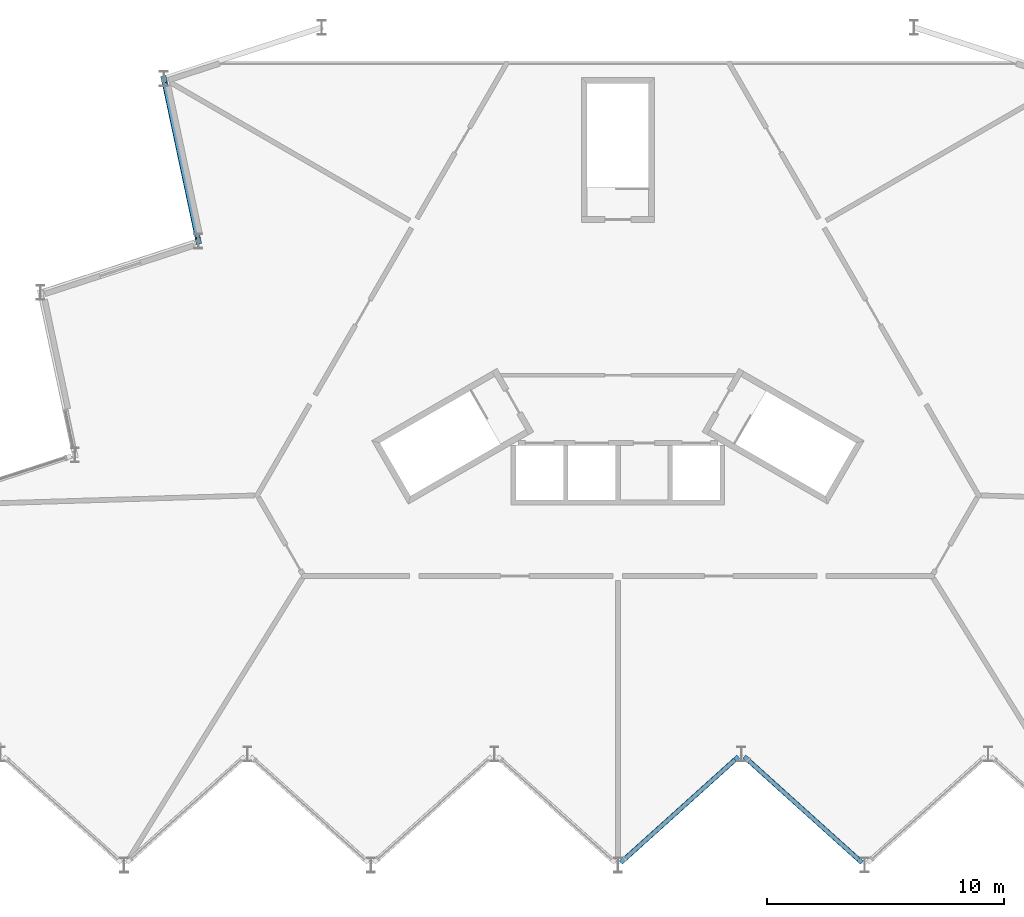
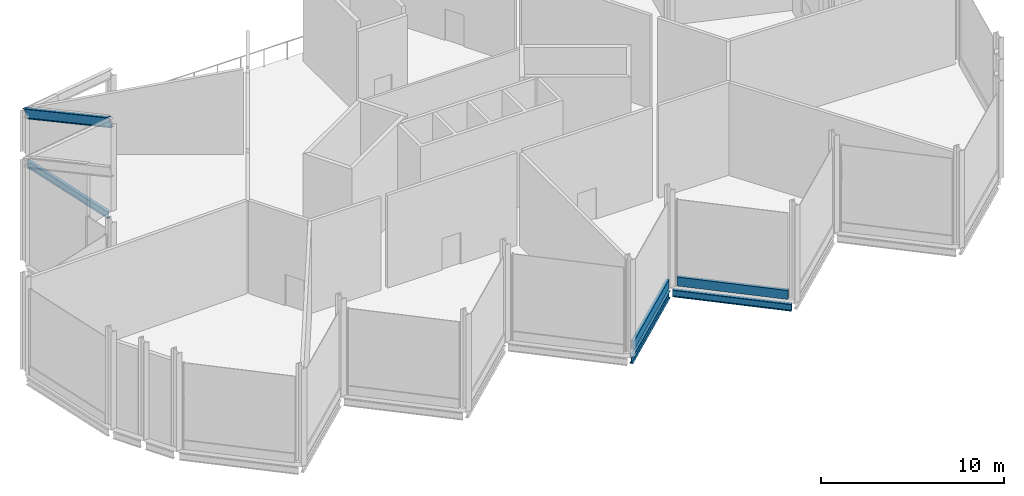
# One storey, part 5 of 10: 3 beams, 3 members, 2 elements without a shape of their own.
"""IFC4 building model written with IfcOpenShell, lengths in metres."""

from ifc_helpers import new_model, si_unit, direction, frame, origin, origin_2d, place, context, subcontext, project, spatial, rectangle, i_section, extrude, material, layer, layer_set, material_profile, profile_set, type_object, element, aggregate, save


model = new_model("IFC4")

# Units and contexts
model_context = context("Model", 3, precision=1e-05, world=origin(), true_north=direction((0.0, 1.0)))
body_context = subcontext(model_context, "Body", "Model", "MODEL_VIEW")
ifc_project = project(units=[si_unit("LENGTHUNIT", "METRE"), si_unit("AREAUNIT", "SQUARE_METRE"), si_unit("VOLUMEUNIT", "CUBIC_METRE"), si_unit("PLANEANGLEUNIT", "RADIAN"), si_unit("MASSUNIT", "GRAM", prefix="KILO")], contexts=[model_context])

# Site, building, storey
site_placement = place(None, origin())
site = spatial("IfcSite", under=ifc_project, at=site_placement, CompositionType="ELEMENT")
building_placement = place(site_placement, origin())
building = spatial("IfcBuilding", under=site, at=building_placement, Name="Cormorant Prow Tower", CompositionType="ELEMENT")
storey_placement = place(building_placement, frame((0.0, 0.0, 441.199951171875)))
storey = spatial("IfcBuildingStorey", under=building, at=storey_placement, Name="L98", CompositionType="ELEMENT", Elevation=441.199951171875)

# Member
ifc_material_1 = material(Name="Structural steel ASTM A992 Gr 50", Category="steel")
ifc_material_profile_1 = material_profile(ifc_material_1, i_section(OverallWidth=0.22900390625, OverallDepth=0.612060546875, WebThickness=0.011962890625, FlangeThickness=0.01953125, at=origin_2d()), Name="W24x84")
ifc_profile_set_1 = profile_set([ifc_material_profile_1], Name="Structural steel ASTM A992 Gr 50")
member_type_1 = type_object("IfcMemberType", Name="Crown frame rafter W24x84", PredefinedType="RAFTER", material=ifc_profile_set_1)
member_1_placement = place(storey_placement, frame((-19.128662109375, 11.0439453125, 2.714599609375), z_axis=(0.190789017322, -0.897595250987, 0.397394408962), x_axis=(0.978147765396, 0.20791091614, 0.0)))
element("IfcMember", 1, at=member_1_placement, inside=storey, type_object=member_type_1, Name="Crown frame rafter CF2 WNW05-WNW06", PredefinedType="RAFTER", context=body_context, shape_type="SweptSolid", body=[
    extrude(i_section(OverallWidth=0.22900390625, OverallDepth=0.612060546875, WebThickness=0.011962890625, FlangeThickness=0.01953125, at=origin_2d()), origin(), (0.0, 0.0, 1.0), 7.625244140625),
])

# Beams
ifc_material_2 = material(Name="Structural steel ASTM A992 Gr 50", Category="steel")
ifc_material_profile_2 = material_profile(ifc_material_2, i_section(OverallWidth=0.19287109375, OverallDepth=0.466064453125, WebThickness=0.011474609375, FlangeThickness=0.01904296875, at=origin_2d()), Name="W18x65")
ifc_profile_set_2 = profile_set([ifc_material_profile_2], Name="Structural steel ASTM A992 Gr 50")
beam_type = type_object("IfcBeamType", Name="Crown ring beam W18x65", PredefinedType="SPANDREL", material=ifc_profile_set_2)
for number, where, z_axis, x_axis, name in (
    (2, (0.121337890625, -21.978515625, -0.532958984375), (0.743139440672, 0.669136586743, 0.0), (-0.669136586743, 0.743139440672, 0.0), "Crown ring beam SB5 S05-S06 L98"),
    (3, (5.3212890625, -17.514892578125, -0.532958984375), (0.743139440672, -0.669136586743, 0.0), (0.669136586743, 0.743139440672, 0.0), "Crown ring beam SB5 S06-S07 L98"),
):
    element("IfcBeam", number, at=place(storey_placement, frame(where, z_axis=z_axis, x_axis=x_axis)), inside=storey, type_object=beam_type, Name=name, PredefinedType="SPANDREL", context=body_context, shape_type="SweptSolid", body=[
        extrude(i_section(OverallWidth=0.19287109375, OverallDepth=0.466064453125, WebThickness=0.011474609375, FlangeThickness=0.01904296875, at=origin_2d()), origin(), (0.0, 0.0, 1.0), 6.670654296875),
    ])
beam_placement = place(storey_placement, frame((-19.0947265625, 10.88427734375, -0.532958984375), z_axis=(0.207911717999, -0.978147594956, 0.0), x_axis=(0.978147594956, 0.207911717999, 0.0)))
element("IfcBeam", 4, at=beam_placement, inside=storey, type_object=beam_type, Name="Crown ring beam SB5 WNW05-WNW06 L98", PredefinedType="SPANDREL", context=body_context, shape_type="SweptSolid", body=[
    extrude(i_section(OverallWidth=0.19287109375, OverallDepth=0.466064453125, WebThickness=0.011474609375, FlangeThickness=0.01904296875, at=origin_2d()), origin(), (0.0, 0.0, 1.0), 6.6708984375),
])

# Curtain wall, member
ifc_material_3 = material(Name="Aluminium 6063-T6", Category="aluminium")
ifc_layer = layer(ifc_material_3, 0.219970703125)
ifc_layer_set = layer_set([ifc_layer], Name="Aluminium 6063-T6")
curtain_wall_type = type_object("IfcCurtainWallType", Name="Crown unitised curtain wall 220", PredefinedType="NOTDEFINED", material=ifc_layer_set)
curtain_wall_1_placement = place(storey_placement, origin())
curtain_wall_1 = element("IfcCurtainWall", 5, at=curtain_wall_1_placement, inside=storey, type_object=curtain_wall_type, Name="Crown curtain wall crown S05", PredefinedType="NOTDEFINED")
ifc_material_4 = material(Name="Terracotta", Category="masonry")
ifc_material_profile_3 = material_profile(ifc_material_4, rectangle(XDim=0.179931640625, YDim=0.60009765625, at=origin_2d()), Name="Crown terracotta spandrel rail 180x600")
ifc_profile_set_3 = profile_set([ifc_material_profile_3], Name="Terracotta")
member_type_2 = type_object("IfcMemberType", Name="Crown terracotta spandrel rail 180x600", PredefinedType="USERDEFINED", material=ifc_profile_set_3)
member_2_placement = place(storey_placement, frame((0.316650390625, -21.802734375, 0.300048828125), z_axis=(0.743141530577, 0.669134265699, 0.0), x_axis=(-0.669134265699, 0.743141530577, 0.0)))
member_2 = element("IfcMember", 6, at=member_2_placement, type_object=member_type_2, Name="Crown spandrel rail crown S05", ObjectType="TRANSOM", PredefinedType="USERDEFINED", context=body_context, shape_type="SweptSolid", body=[
    extrude(rectangle(XDim=0.179931640625, YDim=0.60009765625, at=origin_2d()), origin(), (0.0, 0.0, 1.0), 6.205078125),
])
aggregate(curtain_wall_1, [member_2])

curtain_wall_2_placement = place(storey_placement, origin())
curtain_wall_2 = element("IfcCurtainWall", 7, at=curtain_wall_2_placement, inside=storey, type_object=curtain_wall_type, Name="Crown curtain wall crown S06", PredefinedType="NOTDEFINED")
member_3_placement = place(storey_placement, frame((5.5166015625, -17.690673828125, 0.300048828125), z_axis=(0.743121966202, -0.669155993285, 0.0), x_axis=(0.669155993285, 0.743121966202, 0.0)))
member_3 = element("IfcMember", 8, at=member_3_placement, type_object=member_type_2, Name="Crown spandrel rail crown S06", ObjectType="TRANSOM", PredefinedType="USERDEFINED", context=body_context, shape_type="SweptSolid", body=[
    extrude(rectangle(XDim=0.179931640625, YDim=0.60009765625, at=origin_2d()), origin(), (0.0, 0.0, 1.0), 6.205322265625),
])
aggregate(curtain_wall_2, [member_3])

save(model, "model.ifc")
